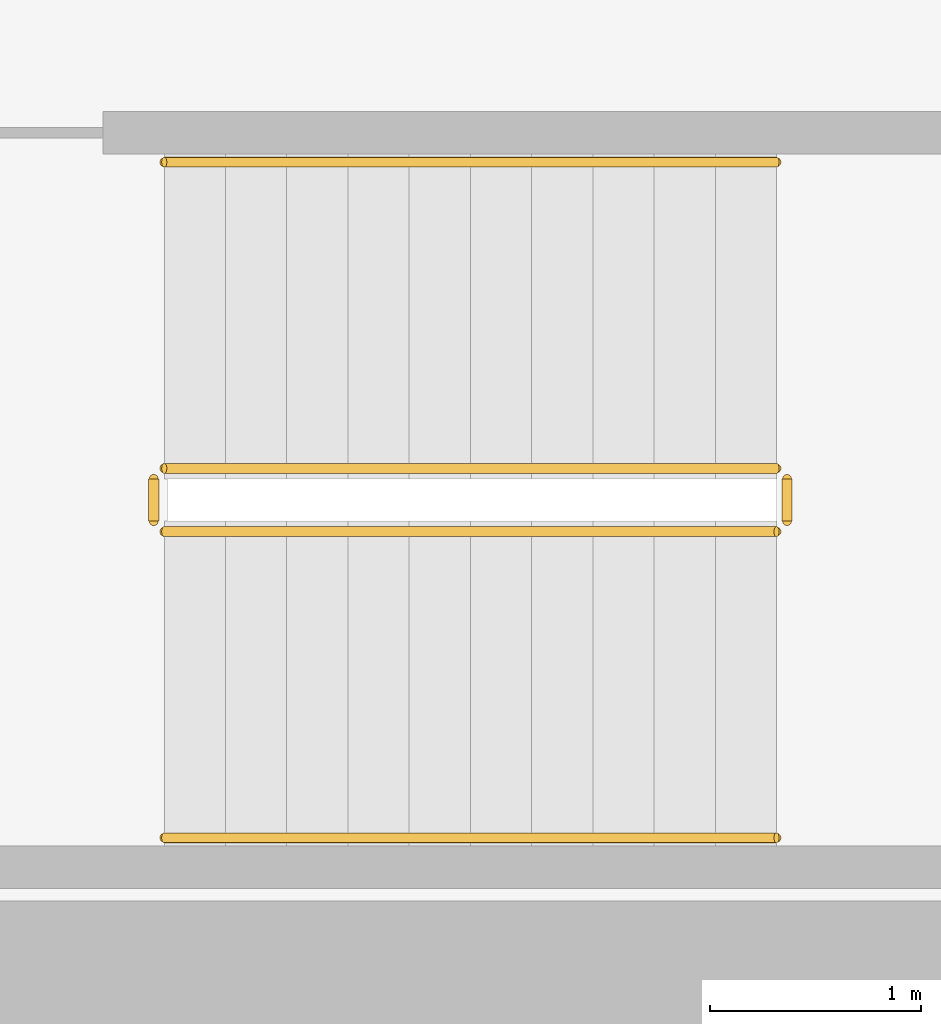
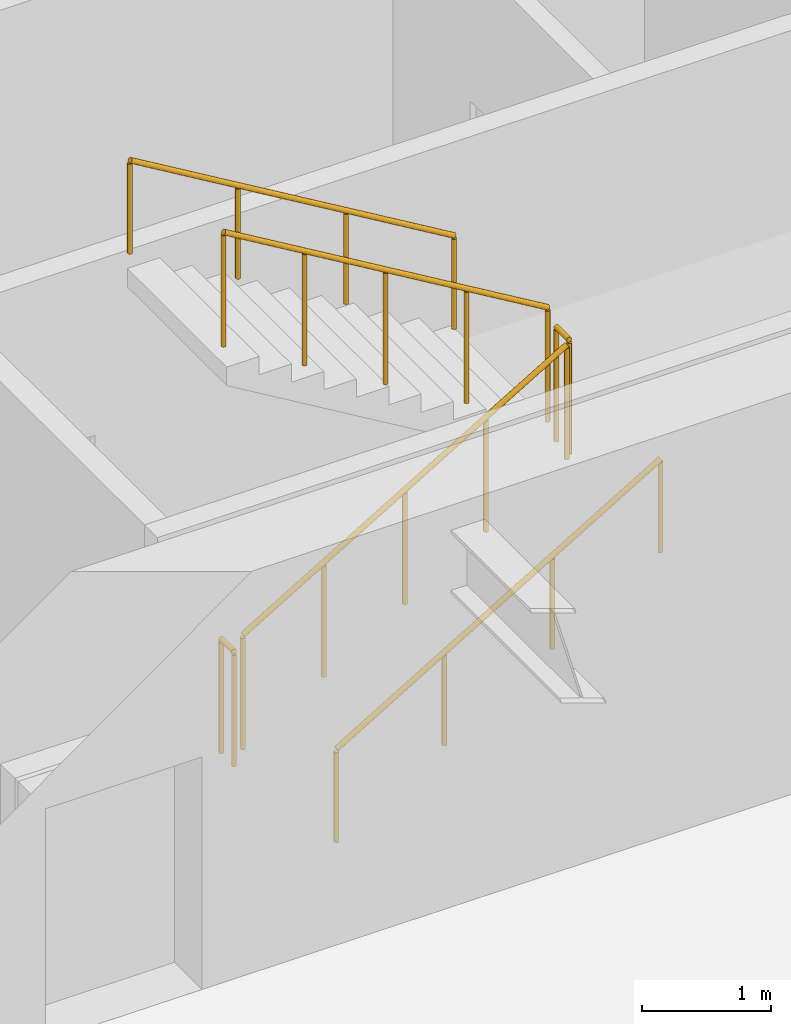
# One storey, part 19 of 20: 6 railings.
"""IFC4 building model written with IfcOpenShell, lengths in metres."""

from ifc_helpers import new_model, si_unit, direction, frame, origin, origin_2d, place, context, subcontext, project, spatial, circle, extrude, material, type_object, element, save


model = new_model("IFC4")

# Units and contexts
model_context = context("Model", 3, precision=1e-05, world=origin(), true_north=direction((0.0, 1.0)))
body_context = subcontext(model_context, "Body", "Model", "MODEL_VIEW")
ifc_project = project(units=[si_unit("LENGTHUNIT", "METRE"), si_unit("AREAUNIT", "SQUARE_METRE"), si_unit("VOLUMEUNIT", "CUBIC_METRE"), si_unit("PLANEANGLEUNIT", "RADIAN"), si_unit("MASSUNIT", "GRAM", prefix="KILO")], contexts=[model_context])

# Site, building, storey
site_placement = place(None, origin())
site = spatial("IfcSite", under=ifc_project, at=site_placement, CompositionType="ELEMENT")
building_placement = place(site_placement, origin())
building = spatial("IfcBuilding", under=site, at=building_placement, Name="Putna Gate Headquarters", CompositionType="ELEMENT")
storey_placement = place(building_placement, frame((0.0, 0.0, 116.39990234375)))
storey = spatial("IfcBuildingStorey", under=building, at=storey_placement, Name="L28", CompositionType="ELEMENT", Elevation=116.39990234375)

# Railings
ifc_material_1 = material(Name="Powder-coated steel stair guardrail", Category="steel")
railing_type_1 = type_object("IfcRailingType", Name="RAIL-STAIR-GUARD-1100", PredefinedType="GUARDRAIL", material=ifc_material_1)
railing_1_placement = place(storey_placement, frame((57.89990234375, 21.10009765625, 0.1728515625)))
element("IfcRailing", 1, at=railing_1_placement, inside=storey, type_object=railing_type_1, Name="L28 ST2 stair guard 1", PredefinedType="GUARDRAIL", context=body_context, shape_type="SweptSolid", body=[
    extrude(circle(Radius=0.02392578125, at=origin_2d()), frame((0.0, 0.0, 1.076171875), z_axis=(0.859160404282, 0.0, 0.51170636083), x_axis=(0.0, 1.0, 0.0)), (0.0, 0.0, 1.0), 3.37548828125),
    extrude(circle(Radius=0.02099609375, at=origin_2d()), origin(), (0.0, 0.0, 1.0), 1.052001953125),
    extrude(circle(Radius=0.02099609375, at=origin_2d()), frame((0.72509765625, 0.0, 0.431884765625)), (0.0, 0.0, 1.0), 1.052001953125),
    extrude(circle(Radius=0.02099609375, at=origin_2d()), frame((1.4501953125, 0.0, 0.86376953125)), (0.0, 0.0, 1.0), 1.052001953125),
    extrude(circle(Radius=0.02099609375, at=origin_2d()), frame((2.175048828125, 0.0, 1.29541015625)), (0.0, 0.0, 1.0), 1.052001953125),
    extrude(circle(Radius=0.02099609375, at=origin_2d()), frame((2.900146484375, 0.0, 1.727294921875)), (0.0, 0.0, 1.0), 1.052001953125),
])
railing_2_placement = place(storey_placement, frame((60.85009765625, 21.14990234375, 1.900146484375)))
element("IfcRailing", 2, at=railing_2_placement, inside=storey, type_object=railing_type_1, Name="L28 ST2 stair guard 2", PredefinedType="GUARDRAIL", context=body_context, shape_type="SweptSolid", body=[
    extrude(circle(Radius=0.02392578125, at=origin_2d()), frame((0.0, 0.0, 1.076171875), z_axis=(0.0, 1.0, 0.0), x_axis=(-1.0, 0.0, 0.0)), (0.0, 0.0, 1.0), 0.2001953125),
    extrude(circle(Radius=0.02099609375, at=origin_2d()), origin(), (0.0, 0.0, 1.0), 1.052001953125),
    extrude(circle(Radius=0.02099609375, at=origin_2d()), frame((0.0, 0.2001953125, 0.0)), (0.0, 0.0, 1.0), 1.052001953125),
])
railing_3_placement = place(storey_placement, frame((60.800048828125, 21.39990234375, 2.07275390625)))
element("IfcRailing", 3, at=railing_3_placement, inside=storey, type_object=railing_type_1, Name="L28 ST2 stair guard 3", PredefinedType="GUARDRAIL", context=body_context, shape_type="SweptSolid", body=[
    extrude(circle(Radius=0.02392578125, at=origin_2d()), frame((0.0, 0.0, 1.076171875), z_axis=(-0.859160404282, 0.0, 0.51170636083), x_axis=(0.0, -1.0, 0.0)), (0.0, 0.0, 1.0), 3.37548828125),
    extrude(circle(Radius=0.02099609375, at=origin_2d()), origin(), (0.0, 0.0, 1.0), 1.052001953125),
    extrude(circle(Radius=0.02099609375, at=origin_2d()), frame((-0.72509765625, 0.0, 0.431884765625)), (0.0, 0.0, 1.0), 1.052001953125),
    extrude(circle(Radius=0.02099609375, at=origin_2d()), frame((-1.4501953125, 0.0, 0.86376953125)), (0.0, 0.0, 1.0), 1.052001953125),
    extrude(circle(Radius=0.02099609375, at=origin_2d()), frame((-2.175048828125, 0.0, 1.29541015625)), (0.0, 0.0, 1.0), 1.052001953125),
    extrude(circle(Radius=0.02099609375, at=origin_2d()), frame((-2.900146484375, 0.0, 1.727294921875)), (0.0, 0.0, 1.0), 1.052001953125),
])
railing_4_placement = place(storey_placement, frame((57.85009765625, 21.14990234375, 0.0)))
element("IfcRailing", 4, at=railing_4_placement, inside=storey, type_object=railing_type_1, Name="L28 ST2 stair guard 4", PredefinedType="GUARDRAIL", context=body_context, shape_type="SweptSolid", body=[
    extrude(circle(Radius=0.02392578125, at=origin_2d()), frame((0.0, 0.0, 1.076171875), z_axis=(0.0, 1.0, 0.0), x_axis=(-1.0, 0.0, 0.0)), (0.0, 0.0, 1.0), 0.2001953125),
    extrude(circle(Radius=0.02099609375, at=origin_2d()), origin(), (0.0, 0.0, 1.0), 1.052001953125),
    extrude(circle(Radius=0.02099609375, at=origin_2d()), frame((0.0, 0.2001953125, 0.0)), (0.0, 0.0, 1.0), 1.052001953125),
])
ifc_material_2 = material(Name="Brushed stainless steel handrail", Category="steel")
railing_type_2 = type_object("IfcRailingType", Name="RAIL-STAIR-HAND-900", PredefinedType="HANDRAIL", material=ifc_material_2)
railing_5_placement = place(storey_placement, frame((57.89990234375, 19.64990234375, 0.1728515625)))
element("IfcRailing", 5, at=railing_5_placement, inside=storey, type_object=railing_type_2, Name="L28 ST2 stair handrail 1", PredefinedType="HANDRAIL", context=body_context, shape_type="SweptSolid", body=[
    extrude(circle(Radius=0.02392578125, at=origin_2d()), frame((0.0, 0.0, 0.8759765625), z_axis=(0.859160404282, 0.0, 0.51170636083), x_axis=(0.0, 1.0, 0.0)), (0.0, 0.0, 1.0), 3.37548828125),
    extrude(circle(Radius=0.02099609375, at=origin_2d()), origin(), (0.0, 0.0, 1.0), 0.851806640625),
    extrude(circle(Radius=0.02099609375, at=origin_2d()), frame((0.966796875, 0.0, 0.57568359375)), (0.0, 0.0, 1.0), 0.851806640625),
    extrude(circle(Radius=0.02099609375, at=origin_2d()), frame((1.933349609375, 0.0, 1.151611328125)), (0.0, 0.0, 1.0), 0.851806640625),
    extrude(circle(Radius=0.02099609375, at=origin_2d()), frame((2.900146484375, 0.0, 1.727294921875)), (0.0, 0.0, 1.0), 0.851806640625),
])
railing_6_placement = place(storey_placement, frame((60.800048828125, 22.85009765625, 2.07275390625)))
element("IfcRailing", 6, at=railing_6_placement, inside=storey, type_object=railing_type_2, Name="L28 ST2 stair handrail 2", PredefinedType="HANDRAIL", context=body_context, shape_type="SweptSolid", body=[
    extrude(circle(Radius=0.02392578125, at=origin_2d()), frame((0.0, 0.0, 0.8759765625), z_axis=(-0.859160404282, 0.0, 0.51170636083), x_axis=(0.0, -1.0, 0.0)), (0.0, 0.0, 1.0), 3.37548828125),
    extrude(circle(Radius=0.02099609375, at=origin_2d()), origin(), (0.0, 0.0, 1.0), 0.851806640625),
    extrude(circle(Radius=0.02099609375, at=origin_2d()), frame((-0.966796875, 0.0, 0.57568359375)), (0.0, 0.0, 1.0), 0.851806640625),
    extrude(circle(Radius=0.02099609375, at=origin_2d()), frame((-1.933349609375, 0.0, 1.151611328125)), (0.0, 0.0, 1.0), 0.851806640625),
    extrude(circle(Radius=0.02099609375, at=origin_2d()), frame((-2.900146484375, 0.0, 1.727294921875)), (0.0, 0.0, 1.0), 0.851806640625),
])

save(model, "model.ifc")
